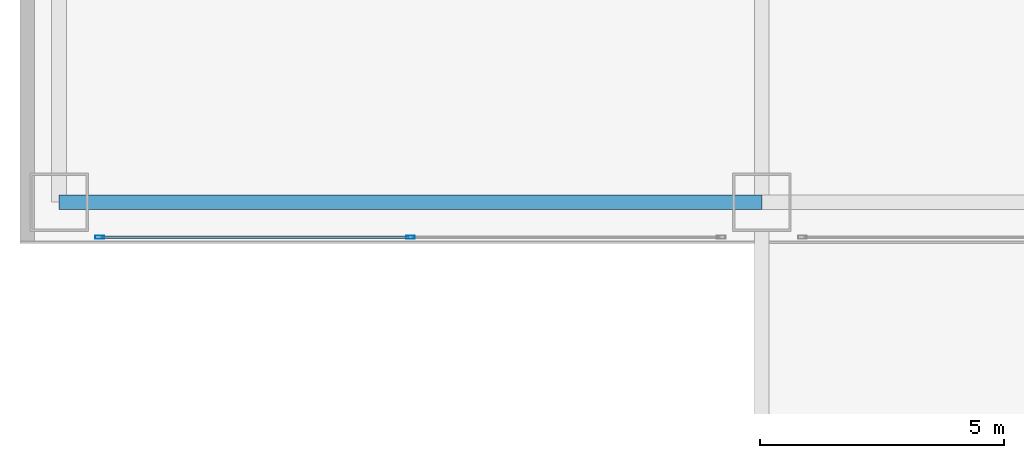
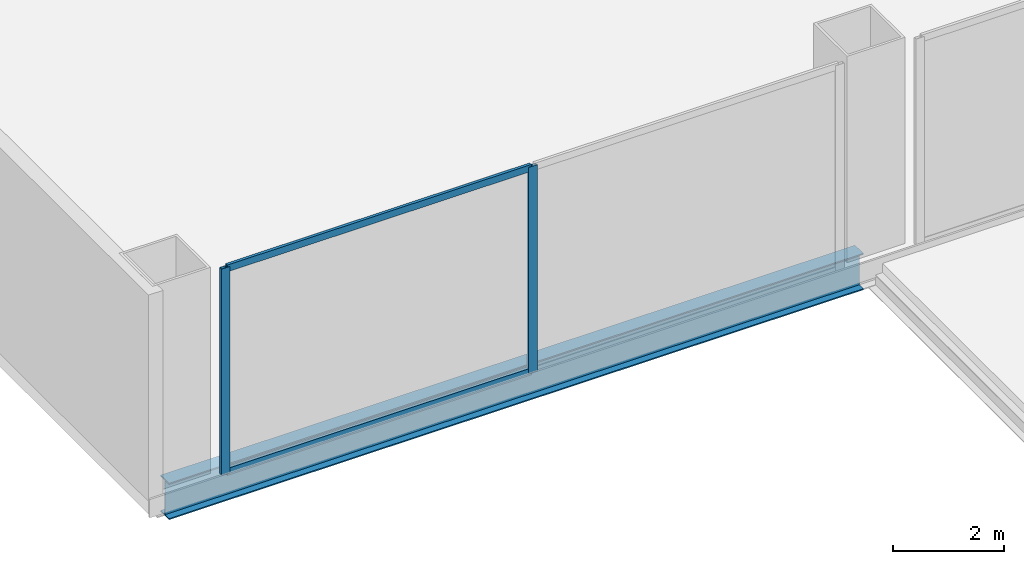
# One storey, part 3 of 42: 4 members, 1 beam, 1 element without a shape of its own.
"""IFC4 building model written with IfcOpenShell, lengths in metres."""

import ifcopenshell
import ifcopenshell.guid

model = None  # the IFC model being written
_history = None  # IfcOwnerHistory: only IFC2X3 demands one
_inside = {}  # id of a spatial element -> (the spatial element, [elements in it])
_under = {}  # id of a project, library or spatial element -> (it, [spatial elements below it])
_declared = {}  # id of a project -> (the project, [libraries it declares])
_typed = {}  # id of a type object -> (the type object, [elements of that type])
_made_of = {}  # id of a material, layer set ... -> (it, [elements and type objects made of it])


def new_model(schema):
    """Start an empty IFC model of exactly this schema.

    Asked for "IFC4X3", IfcOpenShell would pick the latest addendum, in which some entities
    have other attributes; the version numbers below select the first issue.
    IFC2X3 requires an IfcOwnerHistory on every rooted entity: one is made here for all.
    """
    global model, _history
    if schema == "IFC4X3":
        model = ifcopenshell.file(schema_version=(4, 3, 0, 0))
    else:
        model = ifcopenshell.file(schema=schema)
    _inside.clear()
    _under.clear()
    _declared.clear()
    _typed.clear()
    _made_of.clear()
    _history = None
    if model.schema == "IFC2X3":
        org = make("IfcOrganization", Name="unknown")
        user = make(
            "IfcPersonAndOrganization",
            ThePerson=make("IfcPerson", FamilyName="unknown"),
            TheOrganization=org,
        )
        app = make(
            "IfcApplication",
            ApplicationDeveloper=org,
            Version="unknown",
            ApplicationFullName="unknown",
            ApplicationIdentifier="unknown",
        )
        _history = make(
            "IfcOwnerHistory",
            OwningUser=user,
            OwningApplication=app,
            ChangeAction="ADDED",
            CreationDate=0,
        )
    return model


def make(cls, **values):
    """One entity of the class cls with the attributes given. An attribute that is None is left unset."""
    return model.create_entity(
        cls, **{name: value for name, value in values.items() if value is not None}
    )


def rooted(cls, **values):
    """An entity with a GlobalId (a new one), such as an element, a storey or a relation."""
    return make(cls, GlobalId=ifcopenshell.guid.new(), OwnerHistory=_history, **values)


def si_unit(unit_type, name, prefix=None):
    """IfcSIUnit, for example si_unit("LENGTHUNIT", "METRE", prefix="MILLI")."""
    return make("IfcSIUnit", UnitType=unit_type, Prefix=prefix, Name=name)


def assignment(units):
    """IfcUnitAssignment: the units of a project."""
    return None if units is None else make("IfcUnitAssignment", Units=units)


def point(xyz):
    """IfcCartesianPoint."""
    return None if xyz is None else make("IfcCartesianPoint", Coordinates=xyz)


def direction(xyz):
    """IfcDirection."""
    return None if xyz is None else make("IfcDirection", DirectionRatios=xyz)


def frame(location, z_axis=None, x_axis=None):
    """IfcAxis2Placement3D, a coordinate frame: its origin and axes. An axis left out is left unset."""
    return make(
        "IfcAxis2Placement3D",
        Location=point(location),
        Axis=direction(z_axis),
        RefDirection=direction(x_axis),
    )


def frame_2d(location, x_axis=None):
    """IfcAxis2Placement2D, a coordinate frame in the plane: its origin and x axis."""
    return make(
        "IfcAxis2Placement2D", Location=point(location), RefDirection=direction(x_axis)
    )


def origin():
    """The frame at (0, 0, 0) with its axes left unset."""
    return frame((0.0, 0.0, 0.0))


def origin_2d():
    """The frame at (0, 0) in the plane with its x axis left unset."""
    return frame_2d((0.0, 0.0))


def place(relative_to, where):
    """IfcLocalPlacement: puts the frame where relative to a parent placement (None: the world)."""
    return make(
        "IfcLocalPlacement", PlacementRelTo=relative_to, RelativePlacement=where
    )


def context(
    kind, dimensions, precision=None, world=None, true_north=None, identifier=None
):
    """IfcGeometricRepresentationContext, for example the 3D "Model" context."""
    return make(
        "IfcGeometricRepresentationContext",
        ContextIdentifier=identifier,
        ContextType=kind,
        CoordinateSpaceDimension=dimensions,
        Precision=precision,
        WorldCoordinateSystem=world,
        TrueNorth=true_north,
    )


def subcontext(parent, identifier, kind, view, scale=None):
    """IfcGeometricRepresentationSubContext, for example "Body" below "Model"."""
    return make(
        "IfcGeometricRepresentationSubContext",
        ContextIdentifier=identifier,
        ContextType=kind,
        ParentContext=parent,
        TargetScale=scale,
        TargetView=view,
    )


def project(units=None, contexts=None):
    """IfcProject with its units and contexts."""
    return rooted(
        "IfcProject",
        Name="project",
        RepresentationContexts=contexts,
        UnitsInContext=assignment(units),
    )


def spatial(cls, under=None, at=None, **own):
    """A site, building, storey or space (cls), placed at a placement, below another one or the project."""
    s = rooted(cls, ObjectPlacement=at, **own)
    if under is not None:
        _under.setdefault(under.id(), (under, []))[1].append(s)
    return s


def profile(cls, at=None, kind="AREA", **sizes):
    """A parametric profile (cls). Its sizes go by their IFC names, for example OverallWidth=200.0."""
    return make(cls, ProfileType=kind, Position=at, **sizes)


def hollow_rectangle(**sizes):
    """IfcRectangleHollowProfileDef."""
    return profile("IfcRectangleHollowProfileDef", **sizes)


def i_section(**sizes):
    """IfcIShapeProfileDef."""
    return profile("IfcIShapeProfileDef", **sizes)


def extrude(swept, where, along, depth):
    """IfcExtrudedAreaSolid: the profile swept, set in the frame where, extruded along a direction by depth."""
    return make(
        "IfcExtrudedAreaSolid",
        SweptArea=swept,
        Position=where,
        ExtrudedDirection=direction(along),
        Depth=depth,
    )


def shape(context_of_items, identifier, shape_type, items):
    """IfcShapeRepresentation: the items that make up one representation, for example the "Body"."""
    return make(
        "IfcShapeRepresentation",
        ContextOfItems=context_of_items,
        RepresentationIdentifier=identifier,
        RepresentationType=shape_type,
        Items=items,
    )


def source(mapping_origin, context_of_items, identifier, shape_type, items):
    """IfcRepresentationMap: a shape defined once, which mapped items show again and again."""
    return make(
        "IfcRepresentationMap",
        MappingOrigin=mapping_origin,
        MappedRepresentation=shape(context_of_items, identifier, shape_type, items),
    )


def transform(
    local_origin,
    x_axis=None,
    y_axis=None,
    z_axis=None,
    scale=None,
    scale2=None,
    scale3=None,
    uniform=True,
):
    """IfcCartesianTransformationOperator3D, or its non-uniform kind. x_axis, y_axis, z_axis: its Axis1, 2, 3."""
    if uniform:
        return make(
            "IfcCartesianTransformationOperator3D",
            Axis1=direction(x_axis),
            Axis2=direction(y_axis),
            LocalOrigin=point(local_origin),
            Scale=scale,
            Axis3=direction(z_axis),
        )
    return make(
        "IfcCartesianTransformationOperator3DnonUniform",
        Axis1=direction(x_axis),
        Axis2=direction(y_axis),
        LocalOrigin=point(local_origin),
        Scale=scale,
        Axis3=direction(z_axis),
        Scale2=scale2,
        Scale3=scale3,
    )


def mapped(mapping_source, mapping_target):
    """IfcMappedItem: shows the shape of a source again, moved by a transform."""
    return make(
        "IfcMappedItem", MappingSource=mapping_source, MappingTarget=mapping_target
    )


def material(Name=None, Category=None):
    """IfcMaterial."""
    return make("IfcMaterial", Name=Name, Category=Category)


def layer(
    of_material, thickness, ventilated=None, Name=None, Category=None, Priority=None
):
    """IfcMaterialLayer: one layer of a wall or slab, of a material (None: an air gap)."""
    return make(
        "IfcMaterialLayer",
        Material=of_material,
        LayerThickness=thickness,
        IsVentilated=ventilated,
        Name=Name,
        Category=Category,
        Priority=Priority,
    )


def layer_set(layers, Name=None):
    """IfcMaterialLayerSet."""
    return make("IfcMaterialLayerSet", MaterialLayers=layers, LayerSetName=Name)


def material_profile(
    of_material, cross_section, Name=None, Category=None, Priority=None
):
    """IfcMaterialProfile: a cross section and its material."""
    return make(
        "IfcMaterialProfile",
        Name=Name,
        Material=of_material,
        Profile=cross_section,
        Priority=Priority,
        Category=Category,
    )


def profile_set(profiles, Name=None, composite=None):
    """IfcMaterialProfileSet."""
    return make(
        "IfcMaterialProfileSet",
        Name=Name,
        MaterialProfiles=profiles,
        CompositeProfile=composite,
    )


def made_of(thing, what):
    """Note that an element or type object is made of a material, layer set ...; save() writes the relation."""
    if what is not None:
        _made_of.setdefault(what.id(), (what, []))[1].append(thing)
    return thing


def type_object(cls, material=None, **own):
    """A type object (cls), such as IfcWallType, which elements share."""
    return made_of(rooted(cls, **own), material)


def element(
    cls,
    number,
    at=None,
    inside=None,
    cuts=None,
    type_object=None,
    material=None,
    context=None,
    identifier="Body",
    shape_type=None,
    held_by="IfcProductDefinitionShape",
    body=None,
    shapes=None,
    **own,
):
    """One element of the class cls, such as IfcWall. Its Tag is "e" and its number.

    at: its placement. inside: the storey or other place that contains it. cuts: it is an
    opening in that element (IfcRelVoidsElement). A single representation is given by context,
    identifier, shape_type and body (its items); several are given by shapes. held_by: the class
    of the entity that holds the representations. save() writes the other relations.
    """
    e = rooted(cls, Tag="e%d" % number, ObjectPlacement=at, **own)
    if body is not None:
        shapes = [shape(context, identifier, shape_type, body)]
    if shapes is not None:
        e.Representation = make(held_by, Representations=shapes)
    if inside is not None:
        _inside.setdefault(inside.id(), (inside, []))[1].append(e)
    if cuts is not None:
        rooted(
            "IfcRelVoidsElement", RelatingBuildingElement=cuts, RelatedOpeningElement=e
        )
    if type_object is not None:
        _typed.setdefault(type_object.id(), (type_object, []))[1].append(e)
    return made_of(e, material)


def aggregate(whole, parts):
    """IfcRelAggregates: a whole, such as a stair, and the parts it consists of."""
    return rooted("IfcRelAggregates", RelatingObject=whole, RelatedObjects=parts)


def save(model, path):
    """Write the relations noted so far, then the file.

    IfcRelAggregates (storeys below a building ...), IfcRelContainedInSpatialStructure (elements
    in a storey), IfcRelDefinesByType, IfcRelAssociatesMaterial and IfcRelDeclares: one each for
    every whole, place, type object, material and project.
    """
    for whole, parts in _under.values():
        aggregate(whole, parts)
    for where, things in _inside.values():
        rooted(
            "IfcRelContainedInSpatialStructure",
            RelatedElements=things,
            RelatingStructure=where,
        )
    for kind, things in _typed.values():
        rooted("IfcRelDefinesByType", RelatedObjects=things, RelatingType=kind)
    for what, things in _made_of.values():
        rooted("IfcRelAssociatesMaterial", RelatedObjects=things, RelatingMaterial=what)
    for by, libraries in _declared.values():
        rooted("IfcRelDeclares", RelatingContext=by, RelatedDefinitions=libraries)
    model.write(path)


model = new_model("IFC4")

# Units and contexts
model_context = context("Model", 3, precision=1e-05, world=origin(), true_north=direction((0.0, 1.0)))
body_context = subcontext(model_context, "Body", "Model", "MODEL_VIEW")
ifc_project = project(units=[si_unit("LENGTHUNIT", "METRE"), si_unit("AREAUNIT", "SQUARE_METRE"), si_unit("VOLUMEUNIT", "CUBIC_METRE"), si_unit("PLANEANGLEUNIT", "RADIAN"), si_unit("MASSUNIT", "GRAM", prefix="KILO"), si_unit("THERMODYNAMICTEMPERATUREUNIT", "KELVIN"), si_unit("POWERUNIT", "WATT")], contexts=[model_context])

# Site, building, storey
site_placement = place(None, origin())
site = spatial("IfcSite", under=ifc_project, at=site_placement, CompositionType="ELEMENT")
building_placement = place(site_placement, origin())
building = spatial("IfcBuilding", under=site, at=building_placement, Name="Yunzhuo Pagoda Commons", CompositionType="ELEMENT")
storey_placement = place(building_placement, frame((0.0, 0.0, 4.800048828125)))
storey = spatial("IfcBuildingStorey", under=building, at=storey_placement, Name="L02", CompositionType="ELEMENT", Elevation=4.800048828125)

# Beam
ifc_material_1 = material(Name="Structural steel Q355B", Category="steel")
ifc_material_profile_1 = material_profile(ifc_material_1, i_section(OverallWidth=0.300048828125, OverallDepth=0.800048828125, WebThickness=0.013916015625, FlangeThickness=0.02587890625, at=origin_2d()), Name="Structural steel Q355B")
ifc_profile_set_1 = profile_set([ifc_material_profile_1], Name="Structural steel Q355B")
beam_type = type_object("IfcBeamType", Name="B-PD2 Beam HN 800x300x14x26", PredefinedType="BEAM", material=ifc_profile_set_1)
shared_shape_1 = source(origin(), body_context, "Body", "SweptSolid", [
    extrude(i_section(OverallWidth=0.300048828125, OverallDepth=0.800048828125, WebThickness=0.013916015625, FlangeThickness=0.02587890625, at=origin_2d()), origin(), (0.0, 0.0, 1.0), 14.39990234375),
])
beam_placement = place(storey_placement, frame((4.800048828125, 6.800048828125, -0.679931640625), z_axis=(1.0, 0.0, 0.0), x_axis=(0.0, 1.0, 0.0)))
element("IfcBeam", 1, at=beam_placement, inside=storey, type_object=beam_type, Name="L02 podium girder EW 1.1", PredefinedType="BEAM", context=body_context, shape_type="MappedRepresentation", body=[
    mapped(shared_shape_1, transform((0.0, 0.0, 0.0), scale=1.0)),
])

# Curtain wall, members
ifc_material_2 = material(Name="Anodized aluminium 6063-T6", Category="aluminium")
ifc_layer = layer(ifc_material_2, 0.179931640625)
ifc_layer_set = layer_set([ifc_layer], Name="Anodized aluminium 6063-T6")
curtain_wall_type = type_object("IfcCurtainWallType", Name="CW-POD Waterfront Podium Curtain Wall", PredefinedType="NOTDEFINED", material=ifc_layer_set)
curtain_wall_placement = place(storey_placement, origin())
curtain_wall = element("IfcCurtainWall", 2, at=curtain_wall_placement, inside=storey, type_object=curtain_wall_type, Name="L02 curtain wall CW-L02-S1", PredefinedType="NOTDEFINED")
ifc_material_profile_2 = material_profile(ifc_material_2, hollow_rectangle(XDim=0.06494140625, YDim=0.179931640625, WallThickness=0.00390625, at=origin_2d()), Name="Anodized aluminium 6063-T6")
ifc_profile_set_2 = profile_set([ifc_material_profile_2], Name="Anodized aluminium 6063-T6")
member_type_1 = type_object("IfcMemberType", Name="CW-POD-M Mullion RHS 180x65x4", PredefinedType="MULLION", material=ifc_profile_set_2)
shared_shape_2 = source(origin(), body_context, "Body", "SweptSolid", [
    extrude(hollow_rectangle(XDim=0.06494140625, YDim=0.179931640625, WallThickness=0.00390625, at=origin_2d()), origin(), (0.0, 0.0, 1.0), 4.52001953125),
])
member_1_placement = place(storey_placement, frame((5.632568359375, 6.080078125, 0.0), z_axis=(0.0, 0.0, 1.0), x_axis=(0.0, 1.0, 0.0)))
member_1 = element("IfcMember", 3, at=member_1_placement, type_object=member_type_1, Name="CW mullion 1", PredefinedType="MULLION", context=body_context, shape_type="MappedRepresentation", body=[
    mapped(shared_shape_2, transform((0.0, 0.0, 0.0), scale=1.0)),
])
member_2_placement = place(storey_placement, frame((12.0, 6.080078125, 0.0), z_axis=(0.0, 0.0, 1.0), x_axis=(0.0, 1.0, 0.0)))
member_2 = element("IfcMember", 4, at=member_2_placement, type_object=member_type_1, Name="CW mullion 2", PredefinedType="MULLION", context=body_context, shape_type="MappedRepresentation", body=[
    mapped(shared_shape_2, transform((0.0, 0.0, 0.0), scale=1.0)),
])
ifc_material_profile_3 = material_profile(ifc_material_2, hollow_rectangle(XDim=0.06005859375, YDim=0.14990234375, WallThickness=0.00390625, at=origin_2d()), Name="Anodized aluminium 6063-T6")
ifc_profile_set_3 = profile_set([ifc_material_profile_3], Name="Anodized aluminium 6063-T6")
member_type_2 = type_object("IfcMemberType", Name="CW-POD-T Transom RHS 150x60x4", PredefinedType="USERDEFINED", material=ifc_profile_set_3)
shared_shape_3 = source(origin(), body_context, "Body", "SweptSolid", [
    extrude(hollow_rectangle(XDim=0.06005859375, YDim=0.14990234375, WallThickness=0.00390625, at=origin_2d()), origin(), (0.0, 0.0, 1.0), 6.302490234375),
])
member_3_placement = place(storey_placement, frame((5.6650390625, 6.080078125, 0.030029296875), z_axis=(1.0, 0.0, 0.0), x_axis=(0.0, 1.0, 0.0)))
member_3 = element("IfcMember", 5, at=member_3_placement, type_object=member_type_2, Name="CW transom 1.1", ObjectType="TRANSOM", PredefinedType="USERDEFINED", context=body_context, shape_type="MappedRepresentation", body=[
    mapped(shared_shape_3, transform((0.0, 0.0, 0.0), scale=1.0)),
])
member_4_placement = place(storey_placement, frame((5.6650390625, 6.080078125, 4.489990234375), z_axis=(1.0, 0.0, 0.0), x_axis=(0.0, 1.0, 0.0)))
member_4 = element("IfcMember", 6, at=member_4_placement, type_object=member_type_2, Name="CW transom 1.2", ObjectType="TRANSOM", PredefinedType="USERDEFINED", context=body_context, shape_type="MappedRepresentation", body=[
    mapped(shared_shape_3, transform((0.0, 0.0, 0.0), scale=1.0)),
])
aggregate(curtain_wall, [member_1, member_2, member_3, member_4])

save(model, "model.ifc")
